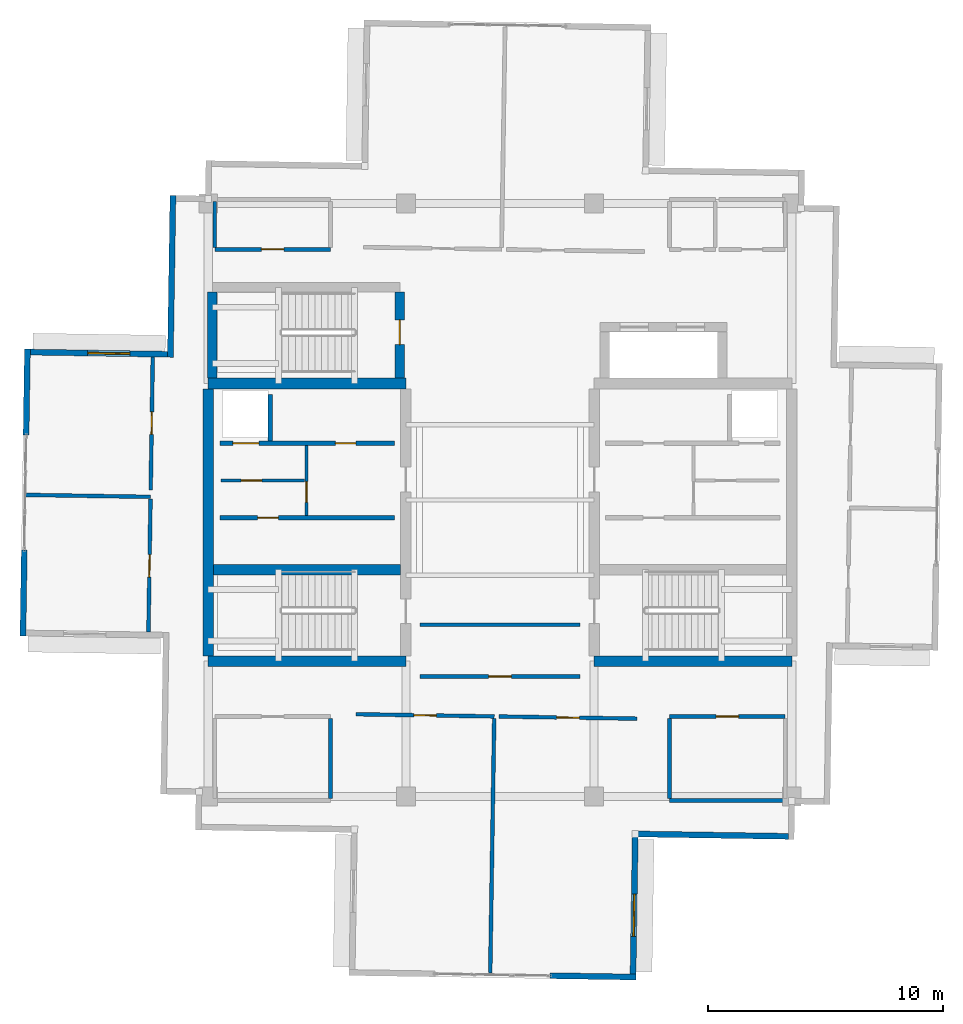
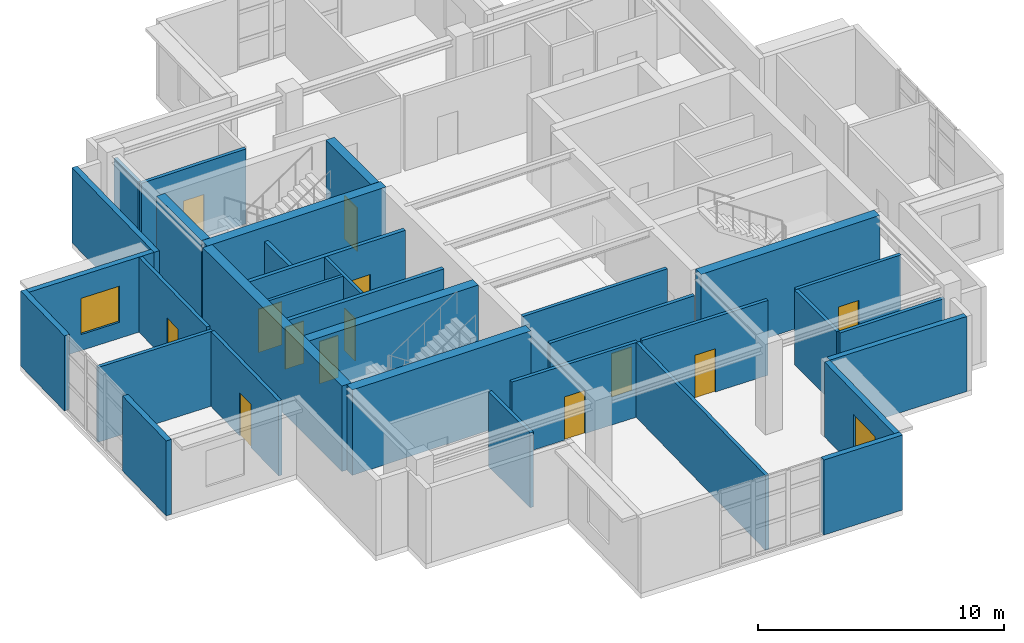
# One storey, part 10 of 15: 33 walls, 13 doors, 2 windows, 15 openings.
"""IFC4 building model written with IfcOpenShell, lengths in metres."""

from ifc_helpers import new_model, si_unit, direction, frame, frame_2d, origin, place, context, subcontext, project, spatial, rectangle, extrude, material, layer, layer_set, type_object, element, fill, save


model = new_model("IFC4")

# Units and contexts
model_context = context("Model", 3, precision=1e-05, world=origin(), true_north=direction((0.0, 1.0)))
body_context = subcontext(model_context, "Body", "Model", "MODEL_VIEW")
ifc_project = project(units=[si_unit("LENGTHUNIT", "METRE"), si_unit("AREAUNIT", "SQUARE_METRE"), si_unit("VOLUMEUNIT", "CUBIC_METRE"), si_unit("PLANEANGLEUNIT", "RADIAN"), si_unit("MASSUNIT", "GRAM", prefix="KILO")], contexts=[model_context])

# Site, building, storey
site_placement = place(None, origin())
site = spatial("IfcSite", under=ifc_project, at=site_placement, CompositionType="ELEMENT")
building_placement = place(site_placement, origin())
building = spatial("IfcBuilding", under=site, at=building_placement, Name="Qingluan Cross Belvedere", CompositionType="ELEMENT")
storey_placement = place(building_placement, frame((0.0, 0.0, 312.89990234375)))
storey = spatial("IfcBuildingStorey", under=building, at=storey_placement, Name="L77", CompositionType="ELEMENT", Elevation=312.89990234375)

# Walls
ifc_material_1 = material(Name="Concrete C50", Category="concrete")
ifc_layer_1 = layer(ifc_material_1, 0.449951171875, Name="CoreShearWall_450")
ifc_layer_set_1 = layer_set([ifc_layer_1], Name="Concrete C50")
wall_type_1 = type_object("IfcWallType", Name="CoreShearWall_450", PredefinedType="SHEAR", material=ifc_layer_set_1)
for number, where, z_axis, x_axis, name in (
    (1, (-12.39990234375, -6.85009765625, 0.0), (0.0, 0.0, 1.0), (1.0, 0.0, 0.0), "Split core W shear wall L77-S"),
    (2, (-12.39990234375, 4.949951171875, 0.0), (0.0, 0.0, 1.0), (1.0, 0.0, 0.0), "Split core W shear wall L77-N"),
):
    element("IfcWall", number, at=place(storey_placement, frame(where, z_axis=z_axis, x_axis=x_axis)), inside=storey, type_object=wall_type_1, Name=name, PredefinedType="SHEAR", context=body_context, shape_type="SweptSolid", body=[
        extrude(rectangle(XDim=8.39990234375, YDim=0.449951171875, at=frame_2d((4.199951171875, 0.0))), origin(), (0.0, 0.0, 1.0), 4.25),
    ])
wall_1_placement = place(storey_placement, frame((-12.39990234375, -6.6201171875, 0.0), z_axis=(0.0, 0.0, 1.0), x_axis=(0.0, 1.0, 0.0)))
element("IfcWall", 3, at=wall_1_placement, inside=storey, type_object=wall_type_1, Name="Split core W shear wall L77-W", PredefinedType="SHEAR", context=body_context, shape_type="SweptSolid", body=[
    extrude(rectangle(XDim=11.340087890625, YDim=0.449951171875, at=frame_2d((5.669921875, 0.0))), origin(), (0.0, 0.0, 1.0), 4.25),
])
wall_2_placement = place(storey_placement, frame((-12.169921875, -2.9599609375, 0.0), z_axis=(0.0, 0.0, 1.0), x_axis=(1.0, 0.0, 0.0)))
element("IfcWall", 4, at=wall_2_placement, inside=storey, type_object=wall_type_1, Name="Split core W shear wall L77-M", PredefinedType="SHEAR", context=body_context, shape_type="SweptSolid", body=[
    extrude(rectangle(XDim=7.93994140625, YDim=0.449951171875, at=frame_2d((3.969970703125, 0.0))), origin(), (0.0, 0.0, 1.0), 4.25),
])
wall_3_placement = place(storey_placement, frame((4.0, -6.85009765625, 0.0), z_axis=(0.0, 0.0, 1.0), x_axis=(1.0, 0.0, 0.0)))
element("IfcWall", 5, at=wall_3_placement, inside=storey, type_object=wall_type_1, Name="Split core E shear wall L77-S", PredefinedType="SHEAR", context=body_context, shape_type="SweptSolid", body=[
    extrude(rectangle(XDim=8.39990234375, YDim=0.449951171875, at=frame_2d((4.199951171875, 0.0))), origin(), (0.0, 0.0, 1.0), 4.25),
])
wall_4_placement = place(storey_placement, frame((-12.219970703125, 5.179931640625, 0.0), z_axis=(0.0, 0.0, 1.0), x_axis=(0.0, 1.0, 0.0)))
element("IfcWall", 6, at=wall_4_placement, inside=storey, type_object=wall_type_1, Name="Stair ST3 structural wall W L77", PredefinedType="SHEAR", context=body_context, shape_type="SweptSolid", body=[
    extrude(rectangle(XDim=3.655029296875, YDim=0.39990234375, at=frame_2d((1.82763671875, 0.0))), origin(), (0.0, 0.0, 1.0), 4.25),
])

# Wall, opening, door
wall_5_placement = place(storey_placement, frame((-4.260009765625, 5.179931640625, 0.0), z_axis=(0.0, 0.0, 1.0), x_axis=(0.0, 1.0, 0.0)))
wall_5 = element("IfcWall", 7, at=wall_5_placement, inside=storey, type_object=wall_type_1, Name="Stair ST3 structural wall E L77", PredefinedType="SHEAR", context=body_context, shape_type="SweptSolid", body=[
    extrude(rectangle(XDim=3.655029296875, YDim=0.39990234375, at=frame_2d((1.82763671875, 0.0))), origin(), (0.0, 0.0, 1.0), 4.25),
])
opening_1_placement = place(wall_5_placement, frame((1.419921875, 0.0, 0.0)))
opening_1 = element("IfcOpeningElement", 8, at=opening_1_placement, cuts=wall_5, Name="Opening FD-B11", PredefinedType="OPENING", context=body_context, shape_type="SweptSolid", body=[
    extrude(rectangle(XDim=1.050048828125, YDim=2.14990234375, at=frame_2d((0.52490234375, 1.074951171875))), frame((0.0, 0.2099609375, 0.0), z_axis=(0.0, -1.0, 0.0), x_axis=(1.0, 0.0, 0.0)), (0.0, 0.0, 1.0), 0.419921875),
])
ifc_material_2 = material(Name="Steel Class B smoke-seal fire door", Category="steel")
door_type_1 = type_object("IfcDoorType", Name="StairLobbyFireDoor_FDB", OperationType="NOTDEFINED", PredefinedType="DOOR", material=ifc_material_2)
door_1_placement = place(opening_1_placement, origin())
door_1 = element("IfcDoor", 9, at=door_1_placement, inside=storey, type_object=door_type_1, Name="Smoke-proof stair ST3 fire door L77", OperationType="SINGLE_SWING_LEFT", OverallHeight=2.14990234375, OverallWidth=1.050048828125, PredefinedType="DOOR", context=body_context, shape_type="SweptSolid", body=[
    extrude(rectangle(XDim=1.050048828125, YDim=2.14990234375, at=frame_2d((0.52490234375, 1.074951171875))), frame((0.0, 0.02490234375, 0.0), z_axis=(0.0, -1.0, 0.0), x_axis=(1.0, 0.0, 0.0)), (0.0, 0.0, 1.0), 0.050048828125),
])
fill(opening_1, door_1)

ifc_material_3 = material(Name="Gypsum plasterboard on steel stud acoustic partition", Category="steel")
ifc_layer_2 = layer(ifc_material_3, 0.159912109375, Name="CorridorPartition_160")
ifc_layer_set_2 = layer_set([ifc_layer_2], Name="Gypsum plasterboard on steel stud acoustic partition")
wall_type_2 = type_object("IfcWallType", Name="CorridorPartition_160", PredefinedType="PARTITIONING", material=ifc_layer_set_2)
wall_6_placement = place(storey_placement, frame((-11.85009765625, 0.830078125, 0.0), z_axis=(0.0, 0.0, 1.0), x_axis=(1.0, 0.0, 0.0)))
wall_6 = element("IfcWall", 10, at=wall_6_placement, inside=storey, type_object=wall_type_2, Name="Partition L77:w", PredefinedType="PARTITIONING", context=body_context, shape_type="SweptSolid", body=[
    extrude(rectangle(XDim=3.552001953125, YDim=0.139892578125, at=frame_2d((1.77587890625, 0.0))), origin(), (0.0, 0.0, 1.0), 3.72021484375),
])
opening_2_placement = place(wall_6_placement, frame((0.85009765625, 0.0, 0.0)))
opening_2 = element("IfcOpeningElement", 11, at=opening_2_placement, cuts=wall_6, Name="Opening FD-B10", PredefinedType="OPENING", context=body_context, shape_type="SweptSolid", body=[
    extrude(rectangle(XDim=0.8798828125, YDim=2.10009765625, at=frame_2d((0.43994140625, 1.050048828125))), frame((0.0, 0.079833984375, 0.0), z_axis=(0.0, -1.0, 0.0), x_axis=(1.0, 0.0, 0.0)), (0.0, 0.0, 1.0), 0.159912109375),
])
ifc_material_4 = material(Name="Steel Class B service fire door", Category="steel")
door_type_2 = type_object("IfcDoorType", Name="RiserServiceFireDoor_FDB", OperationType="NOTDEFINED", PredefinedType="DOOR", material=ifc_material_4)
door_2_placement = place(opening_2_placement, origin())
door_2 = element("IfcDoor", 12, at=door_2_placement, inside=storey, type_object=door_type_2, Name="Service closet inner door L77", OperationType="SINGLE_SWING_RIGHT", OverallHeight=2.10009765625, OverallWidth=0.8798828125, PredefinedType="DOOR", context=body_context, shape_type="SweptSolid", body=[
    extrude(rectangle(XDim=0.8798828125, YDim=2.10009765625, at=frame_2d((0.43994140625, 1.050048828125))), frame((0.0, 0.02490234375, 0.0), z_axis=(0.0, -1.0, 0.0), x_axis=(1.0, 0.0, 0.0)), (0.0, 0.0, 1.0), 0.050048828125),
])
fill(opening_2, door_2)

wall_7_placement = place(storey_placement, frame((-6.11376953125, -9.10498046875, 0.0), z_axis=(0.0, 0.0, 1.0), x_axis=(0.999876414354, -0.015721196482, 0.0)))
wall_7 = element("IfcWall", 13, at=wall_7_placement, inside=storey, type_object=wall_type_2, Name="Partition L77:obs_s1:N", PredefinedType="PARTITIONING", context=body_context, shape_type="SweptSolid", body=[
    extrude(rectangle(XDim=5.8701171875, YDim=0.159912109375, at=frame_2d((2.93505859375, 0.0))), origin(), (0.0, 0.0, 1.0), 3.72021484375),
])
opening_3_placement = place(wall_7_placement, frame((2.455078125, 0.0, 0.0)))
opening_3 = element("IfcOpeningElement", 14, at=opening_3_placement, cuts=wall_7, Name="Opening GD-10", PredefinedType="OPENING", context=body_context, shape_type="SweptSolid", body=[
    extrude(rectangle(XDim=0.9599609375, YDim=2.14990234375, at=frame_2d((0.47998046875, 1.074951171875))), frame((0.0, 0.08984375, 0.0), z_axis=(0.0, -1.0, 0.0), x_axis=(1.0, 0.0, 0.0)), (0.0, 0.0, 1.0), 0.179931640625),
])
ifc_material_5 = material(Name="Timber oak fire-rated acoustic guestroom door", Category="wood")
door_type_3 = type_object("IfcDoorType", Name="GuestEntryDoor_FD60", OperationType="NOTDEFINED", PredefinedType="DOOR", material=ifc_material_5)
door_3_placement = place(opening_3_placement, origin())
door_3 = element("IfcDoor", 15, at=door_3_placement, inside=storey, type_object=door_type_3, Name="South Yangtze belvedere lounge W L77 door", OperationType="SINGLE_SWING_RIGHT", OverallHeight=2.14990234375, OverallWidth=0.9599609375, PredefinedType="DOOR", context=body_context, shape_type="SweptSolid", body=[
    extrude(rectangle(XDim=0.9599609375, YDim=2.14990234375, at=frame_2d((0.47998046875, 1.074951171875))), frame((0.0, 0.02490234375, 0.0), z_axis=(0.0, -1.0, 0.0), x_axis=(1.0, 0.0, 0.0)), (0.0, 0.0, 1.0), 0.050048828125),
])
fill(opening_3, door_3)

# Wall
wall_8_placement = place(storey_placement, frame((-0.41552734375, -20.091064453125, 0.0), z_axis=(0.0, 0.0, 1.0), x_axis=(0.015696121378, 0.999876808299, 0.0)))
element("IfcWall", 16, at=wall_8_placement, inside=storey, type_object=wall_type_2, Name="Partition L77:obs_s1:E", PredefinedType="PARTITIONING", context=body_context, shape_type="SweptSolid", body=[
    extrude(rectangle(XDim=10.81005859375, YDim=0.159912109375, at=frame_2d((5.405029296875, 0.0))), origin(), (0.0, 0.0, 1.0), 3.72021484375),
])

# Wall, opening, door
wall_9_placement = place(storey_placement, frame((-0.04443359375, -9.200439453125, 0.0), z_axis=(0.0, 0.0, 1.0), x_axis=(0.999877057035, -0.015680268324, 0.0)))
wall_9 = element("IfcWall", 17, at=wall_9_placement, inside=storey, type_object=wall_type_2, Name="Partition L77:obs_s2:N", PredefinedType="PARTITIONING", context=body_context, shape_type="SweptSolid", body=[
    extrude(rectangle(XDim=5.869873046875, YDim=0.159912109375, at=frame_2d((2.93505859375, 0.0))), origin(), (0.0, 0.0, 1.0), 3.72021484375),
])
opening_4_placement = place(wall_9_placement, frame((2.455078125, 0.0, 0.0)))
opening_4 = element("IfcOpeningElement", 18, at=opening_4_placement, cuts=wall_9, Name="Opening GD-10", PredefinedType="OPENING", context=body_context, shape_type="SweptSolid", body=[
    extrude(rectangle(XDim=0.9599609375, YDim=2.14990234375, at=frame_2d((0.47998046875, 1.074951171875))), frame((0.0, 0.08984375, 0.0), z_axis=(0.0, -1.0, 0.0), x_axis=(1.0, 0.0, 0.0)), (0.0, 0.0, 1.0), 0.179931640625),
])
door_4_placement = place(opening_4_placement, origin())
door_4 = element("IfcDoor", 19, at=door_4_placement, inside=storey, type_object=door_type_3, Name="South Yangtze belvedere lounge E L77 door", OperationType="SINGLE_SWING_LEFT", OverallHeight=2.14990234375, OverallWidth=0.9599609375, PredefinedType="DOOR", context=body_context, shape_type="SweptSolid", body=[
    extrude(rectangle(XDim=0.9599609375, YDim=2.14990234375, at=frame_2d((0.47998046875, 1.074951171875))), frame((0.0, 0.02490234375, 0.0), z_axis=(0.0, -1.0, 0.0), x_axis=(1.0, 0.0, 0.0)), (0.0, 0.0, 1.0), 0.050048828125),
])
fill(opening_4, door_4)

# Wall
wall_10_placement = place(storey_placement, frame((-20.17919921875, 0.217041015625, 0.0), z_axis=(0.0, 0.0, 1.0), x_axis=(0.999876584312, -0.015710383345, 0.0)))
element("IfcWall", 20, at=wall_10_placement, inside=storey, type_object=wall_type_2, Name="Partition L77:obs_w1:N", PredefinedType="PARTITIONING", context=body_context, shape_type="SweptSolid", body=[
    extrude(rectangle(XDim=5.330322265625, YDim=0.159912109375, at=frame_2d((2.6650390625, 0.0))), origin(), (0.0, 0.0, 1.0), 3.72021484375),
])

# Wall, opening, door
wall_11_placement = place(storey_placement, frame((-14.939697265625, -5.60302734375, 0.0), z_axis=(0.0, 0.0, 1.0), x_axis=(0.01567977253, 0.99987706481, 0.0)))
wall_11 = element("IfcWall", 21, at=wall_11_placement, inside=storey, type_object=wall_type_2, Name="Partition L77:obs_w1:E", PredefinedType="PARTITIONING", context=body_context, shape_type="SweptSolid", body=[
    extrude(rectangle(XDim=5.652099609375, YDim=0.159912109375, at=frame_2d((2.826171875, 0.0))), origin(), (0.0, 0.0, 1.0), 3.72021484375),
])
opening_5_placement = place(wall_11_placement, frame((2.322021484375, 0.0, 0.0)))
opening_5 = element("IfcOpeningElement", 22, at=opening_5_placement, cuts=wall_11, Name="Opening GD-10", PredefinedType="OPENING", context=body_context, shape_type="SweptSolid", body=[
    extrude(rectangle(XDim=0.9599609375, YDim=2.14990234375, at=frame_2d((0.47998046875, 1.074951171875))), frame((0.0, 0.08984375, 0.0), z_axis=(0.0, -1.0, 0.0), x_axis=(1.0, 0.0, 0.0)), (0.0, 0.0, 1.0), 0.179931640625),
])
door_5_placement = place(opening_5_placement, origin())
door_5 = element("IfcDoor", 23, at=door_5_placement, inside=storey, type_object=door_type_3, Name="West skyline exhibition room L77 door", OperationType="SINGLE_SWING_RIGHT", OverallHeight=2.14990234375, OverallWidth=0.9599609375, PredefinedType="DOOR", context=body_context, shape_type="SweptSolid", body=[
    extrude(rectangle(XDim=0.9599609375, YDim=2.14990234375, at=frame_2d((0.47998046875, 1.074951171875))), frame((0.0, 0.02490234375, 0.0), z_axis=(0.0, -1.0, 0.0), x_axis=(1.0, 0.0, 0.0)), (0.0, 0.0, 1.0), 0.050048828125),
])
fill(opening_5, door_5)

wall_12_placement = place(storey_placement, frame((-14.84521484375, 0.418212890625, 0.0), z_axis=(0.0, 0.0, 1.0), x_axis=(0.01567977253, 0.99987706481, 0.0)))
wall_12 = element("IfcWall", 24, at=wall_12_placement, inside=storey, type_object=wall_type_2, Name="Partition L77:obs_w2:E", PredefinedType="PARTITIONING", context=body_context, shape_type="SweptSolid", body=[
    extrude(rectangle(XDim=5.652099609375, YDim=0.159912109375, at=frame_2d((2.826171875, 0.0))), origin(), (0.0, 0.0, 1.0), 3.72021484375),
])
opening_6_placement = place(wall_12_placement, frame((2.3701171875, 0.0, 0.0)))
opening_6 = element("IfcOpeningElement", 25, at=opening_6_placement, cuts=wall_12, Name="Opening GD-10", PredefinedType="OPENING", context=body_context, shape_type="SweptSolid", body=[
    extrude(rectangle(XDim=0.9599609375, YDim=2.14990234375, at=frame_2d((0.47998046875, 1.074951171875))), frame((0.0, 0.08984375, 0.0), z_axis=(0.0, -1.0, 0.0), x_axis=(1.0, 0.0, 0.0)), (0.0, 0.0, 1.0), 0.179931640625),
])
door_6_placement = place(opening_6_placement, origin())
door_6 = element("IfcDoor", 26, at=door_6_placement, inside=storey, type_object=door_type_3, Name="Telescope viewing salon L77 door", OperationType="SINGLE_SWING_LEFT", OverallHeight=2.14990234375, OverallWidth=0.9599609375, PredefinedType="DOOR", context=body_context, shape_type="SweptSolid", body=[
    extrude(rectangle(XDim=0.9599609375, YDim=2.14990234375, at=frame_2d((0.47998046875, 1.074951171875))), frame((0.0, 0.02490234375, 0.0), z_axis=(0.0, -1.0, 0.0), x_axis=(1.0, 0.0, 0.0)), (0.0, 0.0, 1.0), 0.050048828125),
])
fill(opening_6, door_6)

wall_13_placement = place(storey_placement, frame((-12.1201171875, 10.64990234375, 0.0), z_axis=(0.0, 0.0, 1.0), x_axis=(1.0, 0.0, 0.0)))
wall_13 = element("IfcWall", 27, at=wall_13_placement, inside=storey, type_object=wall_type_2, Name="Partition L77:crown_nw:S", PredefinedType="PARTITIONING", context=body_context, shape_type="SweptSolid", body=[
    extrude(rectangle(XDim=4.920166015625, YDim=0.159912109375, at=frame_2d((2.4599609375, 0.0))), origin(), (0.0, 0.0, 1.0), 3.72021484375),
])
opening_7_placement = place(wall_13_placement, frame((1.97998046875, 0.0, 0.0)))
opening_7 = element("IfcOpeningElement", 28, at=opening_7_placement, cuts=wall_13, Name="Opening GD-10", PredefinedType="OPENING", context=body_context, shape_type="SweptSolid", body=[
    extrude(rectangle(XDim=0.9599609375, YDim=2.14990234375, at=frame_2d((0.47998046875, 1.074951171875))), frame((0.0, 0.08984375, 0.0), z_axis=(0.0, -1.0, 0.0), x_axis=(1.0, 0.0, 0.0)), (0.0, 0.0, 1.0), 0.179931640625),
])
door_7_placement = place(opening_7_placement, origin())
door_7 = element("IfcDoor", 29, at=door_7_placement, inside=storey, type_object=door_type_3, Name="Northwest panorama gallery L77 door", OperationType="SINGLE_SWING_RIGHT", OverallHeight=2.14990234375, OverallWidth=0.9599609375, PredefinedType="DOOR", context=body_context, shape_type="SweptSolid", body=[
    extrude(rectangle(XDim=0.9599609375, YDim=2.14990234375, at=frame_2d((0.47998046875, 1.074951171875))), frame((0.0, 0.02490234375, 0.0), z_axis=(0.0, -1.0, 0.0), x_axis=(1.0, 0.0, 0.0)), (0.0, 0.0, 1.0), 0.050048828125),
])
fill(opening_7, door_7)

# Walls
wall_14_placement = place(storey_placement, frame((-12.1201171875, 10.735107421875, 0.0), z_axis=(0.0, 0.0, 1.0), x_axis=(0.0, 1.0, 0.0)))
element("IfcWall", 30, at=wall_14_placement, inside=storey, type_object=wall_type_2, Name="Partition L77:crown_nw:W", PredefinedType="PARTITIONING", context=body_context, shape_type="SweptSolid", body=[
    extrude(rectangle(XDim=1.949951171875, YDim=0.159912109375, at=frame_2d((0.97509765625, 0.0))), origin(), (0.0, 0.0, 1.0), 3.72021484375),
])
wall_15_placement = place(storey_placement, frame((-7.199951171875, -12.68505859375, 0.0), z_axis=(0.0, 0.0, 1.0), x_axis=(0.0, 1.0, 0.0)))
element("IfcWall", 31, at=wall_15_placement, inside=storey, type_object=wall_type_2, Name="Partition L77:crown_sw:E", PredefinedType="PARTITIONING", context=body_context, shape_type="SweptSolid", body=[
    extrude(rectangle(XDim=3.400146484375, YDim=0.159912109375, at=frame_2d((1.7001953125, 0.0))), origin(), (0.0, 0.0, 1.0), 3.72021484375),
])
wall_16_placement = place(storey_placement, frame((7.199951171875, -12.77001953125, 0.0), z_axis=(0.0, 0.0, 1.0), x_axis=(1.0, 0.0, 0.0)))
element("IfcWall", 32, at=wall_16_placement, inside=storey, type_object=wall_type_2, Name="Partition L77:crown_se:S", PredefinedType="PARTITIONING", context=body_context, shape_type="SweptSolid", body=[
    extrude(rectangle(XDim=4.920166015625, YDim=0.159912109375, at=frame_2d((2.4599609375, 0.0))), origin(), (0.0, 0.0, 1.0), 3.72021484375),
])

# Wall, opening, door
wall_17_placement = place(storey_placement, frame((7.199951171875, -9.199951171875, 0.0), z_axis=(0.0, 0.0, 1.0), x_axis=(1.0, 0.0, 0.0)))
wall_17 = element("IfcWall", 33, at=wall_17_placement, inside=storey, type_object=wall_type_2, Name="Partition L77:crown_se:N", PredefinedType="PARTITIONING", context=body_context, shape_type="SweptSolid", body=[
    extrude(rectangle(XDim=4.920166015625, YDim=0.159912109375, at=frame_2d((2.4599609375, 0.0))), origin(), (0.0, 0.0, 1.0), 3.72021484375),
])
opening_8_placement = place(wall_17_placement, frame((1.97998046875, 0.0, 0.0)))
opening_8 = element("IfcOpeningElement", 34, at=opening_8_placement, cuts=wall_17, Name="Opening GD-10", PredefinedType="OPENING", context=body_context, shape_type="SweptSolid", body=[
    extrude(rectangle(XDim=0.9599609375, YDim=2.14990234375, at=frame_2d((0.47998046875, 1.074951171875))), frame((0.0, 0.08984375, 0.0), z_axis=(0.0, -1.0, 0.0), x_axis=(1.0, 0.0, 0.0)), (0.0, 0.0, 1.0), 0.179931640625),
])
door_8_placement = place(opening_8_placement, origin())
door_8 = element("IfcDoor", 35, at=door_8_placement, inside=storey, type_object=door_type_3, Name="Southeast horizon salon L77 door", OperationType="SINGLE_SWING_RIGHT", OverallHeight=2.14990234375, OverallWidth=0.9599609375, PredefinedType="DOOR", context=body_context, shape_type="SweptSolid", body=[
    extrude(rectangle(XDim=0.9599609375, YDim=2.14990234375, at=frame_2d((0.47998046875, 1.074951171875))), frame((0.0, 0.02490234375, 0.0), z_axis=(0.0, -1.0, 0.0), x_axis=(1.0, 0.0, 0.0)), (0.0, 0.0, 1.0), 0.050048828125),
])
fill(opening_8, door_8)

# Wall
wall_18_placement = place(storey_placement, frame((7.199951171875, -12.68505859375, 0.0), z_axis=(0.0, 0.0, 1.0), x_axis=(0.0, 1.0, 0.0)))
element("IfcWall", 36, at=wall_18_placement, inside=storey, type_object=wall_type_2, Name="Partition L77:crown_se:W", PredefinedType="PARTITIONING", context=body_context, shape_type="SweptSolid", body=[
    extrude(rectangle(XDim=3.400146484375, YDim=0.159912109375, at=frame_2d((1.7001953125, 0.0))), origin(), (0.0, 0.0, 1.0), 3.72021484375),
])

# Wall, opening, door
wall_19_placement = place(storey_placement, frame((-3.39990234375, -7.5, 0.0), z_axis=(0.0, 0.0, 1.0), x_axis=(1.0, 0.0, 0.0)))
wall_19 = element("IfcWall", 37, at=wall_19_placement, inside=storey, type_object=wall_type_2, Name="Partition L77:obs_center_s:S", PredefinedType="PARTITIONING", context=body_context, shape_type="SweptSolid", body=[
    extrude(rectangle(XDim=6.7998046875, YDim=0.159912109375, at=frame_2d((3.39990234375, 0.0))), origin(), (0.0, 0.0, 1.0), 3.72021484375),
])
opening_9_placement = place(wall_19_placement, frame((2.919921875, 0.0, 0.0)))
opening_9 = element("IfcOpeningElement", 38, at=opening_9_placement, cuts=wall_19, Name="Opening GD-10", PredefinedType="OPENING", context=body_context, shape_type="SweptSolid", body=[
    extrude(rectangle(XDim=0.9599609375, YDim=2.14990234375, at=frame_2d((0.47998046875, 1.074951171875))), frame((0.0, 0.08984375, 0.0), z_axis=(0.0, -1.0, 0.0), x_axis=(1.0, 0.0, 0.0)), (0.0, 0.0, 1.0), 0.179931640625),
])
door_9_placement = place(opening_9_placement, origin())
door_9 = element("IfcDoor", 39, at=door_9_placement, inside=storey, type_object=door_type_3, Name="Central skyline viewing alcove L77 door", OperationType="SINGLE_SWING_LEFT", OverallHeight=2.14990234375, OverallWidth=0.9599609375, PredefinedType="DOOR", context=body_context, shape_type="SweptSolid", body=[
    extrude(rectangle(XDim=0.9599609375, YDim=2.14990234375, at=frame_2d((0.47998046875, 1.074951171875))), frame((0.0, 0.02490234375, 0.0), z_axis=(0.0, -1.0, 0.0), x_axis=(1.0, 0.0, 0.0)), (0.0, 0.0, 1.0), 0.050048828125),
])
fill(opening_9, door_9)

# Wall
wall_20_placement = place(storey_placement, frame((-3.39990234375, -5.300048828125, 0.0), z_axis=(0.0, 0.0, 1.0), x_axis=(1.0, 0.0, 0.0)))
element("IfcWall", 40, at=wall_20_placement, inside=storey, type_object=wall_type_2, Name="Partition L77:obs_center_s:N", PredefinedType="PARTITIONING", context=body_context, shape_type="SweptSolid", body=[
    extrude(rectangle(XDim=6.7998046875, YDim=0.159912109375, at=frame_2d((3.39990234375, 0.0))), origin(), (0.0, 0.0, 1.0), 3.72021484375),
])

# Wall, opening, window
ifc_material_6 = material(Name="Precast concrete C45", Category="concrete")
ifc_layer_3 = layer(ifc_material_6, 0.25, Name="PrecastCrownWall_250")
ifc_layer_set_3 = layer_set([ifc_layer_3], Name="Precast concrete C45")
wall_type_3 = type_object("IfcWallType", Name="PrecastCrownWall_250", PredefinedType="STANDARD", material=ifc_layer_set_3)
wall_21_placement = place(storey_placement, frame((-14.12939453125, 6.192626953125, 0.0), z_axis=(0.0, 0.0, 1.0), x_axis=(-0.999876691593, 0.01570355402, 0.0)))
wall_21 = element("IfcWall", 41, at=wall_21_placement, inside=storey, type_object=wall_type_3, Name="Facade wall L77-WA", PredefinedType="STANDARD", context=body_context, shape_type="SweptSolid", body=[
    extrude(rectangle(XDim=5.830078125, YDim=0.25, at=frame_2d((2.9150390625, 0.0))), origin(), (0.0, 0.0, 1.0), 3.72998046875),
])
opening_10_placement = place(wall_21_placement, frame((1.60009765625, 0.0, 0.800048828125)))
opening_10 = element("IfcOpeningElement", 42, at=opening_10_placement, cuts=wall_21, Name="Opening W-05", PredefinedType="OPENING", context=body_context, shape_type="SweptSolid", body=[
    extrude(rectangle(XDim=1.800048828125, YDim=1.800048828125, at=frame_2d((0.89990234375, 0.89990234375))), frame((0.0, 0.135009765625, 0.0), z_axis=(0.0, -1.0, 0.0), x_axis=(1.0, 0.0, 0.0)), (0.0, 0.0, 1.0), 0.27001953125),
])
ifc_material_7 = material(Name="Thermally broken triple Low-E glass in aluminium frame", Category="aluminium")
window_type = type_object("IfcWindowType", Name="CrownBelvedereWin_1800x1800", PartitioningType="SINGLE_PANEL", PredefinedType="WINDOW", material=ifc_material_7)
window_1_placement = place(opening_10_placement, origin())
window_1 = element("IfcWindow", 43, at=window_1_placement, inside=storey, type_object=window_type, Name="Ribbon window L77-WA-1", OverallHeight=1.800048828125, OverallWidth=1.800048828125, PartitioningType="SINGLE_PANEL", PredefinedType="WINDOW", context=body_context, shape_type="SweptSolid", body=[
    extrude(rectangle(XDim=1.800048828125, YDim=1.800048828125, at=frame_2d((0.89990234375, 0.89990234375))), frame((0.0, 0.030029296875, 0.0), z_axis=(0.0, -1.0, 0.0), x_axis=(1.0, 0.0, 0.0)), (0.0, 0.0, 1.0), 0.06005859375),
])
fill(opening_10, window_1)

# Walls
for number, where, z_axis, x_axis, name in (
    (44, (-20.081787109375, 6.4111328125, 0.0), (0.0, 0.0, 1.0), (-0.015688794617, -0.999876923288, 0.0), "Terrace portal jamb wall L77-W1"),
    (45, (-20.2158203125, -2.120849609375, 0.0), (0.0, 0.0, 1.0), (-0.015688794617, -0.999876923288, 0.0), "Terrace portal jamb wall L77-W2"),
):
    element("IfcWall", number, at=place(storey_placement, frame(where, z_axis=z_axis, x_axis=x_axis)), inside=storey, type_object=wall_type_3, Name=name, PredefinedType="STANDARD", context=body_context, shape_type="SweptSolid", body=[
        extrude(rectangle(XDim=3.656982421875, YDim=0.25, at=frame_2d((1.82861328125, 0.0))), origin(), (0.0, 0.0, 1.0), 3.72998046875),
    ])

# Wall, opening, window
wall_22_placement = place(storey_placement, frame((5.654296875, -20.146240234375, 0.0), z_axis=(0.0, 0.0, 1.0), x_axis=(0.01570355402, 0.999876691593, 0.0)))
wall_22 = element("IfcWall", 46, at=wall_22_placement, inside=storey, type_object=wall_type_3, Name="Facade wall L77-SB", PredefinedType="STANDARD", context=body_context, shape_type="SweptSolid", body=[
    extrude(rectangle(XDim=5.830078125, YDim=0.25, at=frame_2d((2.9150390625, 0.0))), origin(), (0.0, 0.0, 1.0), 3.72998046875),
])
opening_11_placement = place(wall_22_placement, frame((1.60009765625, 0.0, 0.800048828125)))
opening_11 = element("IfcOpeningElement", 47, at=opening_11_placement, cuts=wall_22, Name="Opening W-05", PredefinedType="OPENING", context=body_context, shape_type="SweptSolid", body=[
    extrude(rectangle(XDim=1.800048828125, YDim=1.800048828125, at=frame_2d((0.89990234375, 0.89990234375))), frame((0.0, 0.135009765625, 0.0), z_axis=(0.0, -1.0, 0.0), x_axis=(1.0, 0.0, 0.0)), (0.0, 0.0, 1.0), 0.27001953125),
])
window_2_placement = place(opening_11_placement, origin())
window_2 = element("IfcWindow", 48, at=window_2_placement, inside=storey, type_object=window_type, Name="Ribbon window L77-SB-1", OverallHeight=1.800048828125, OverallWidth=1.800048828125, PartitioningType="SINGLE_PANEL", PredefinedType="WINDOW", context=body_context, shape_type="SweptSolid", body=[
    extrude(rectangle(XDim=1.800048828125, YDim=1.800048828125, at=frame_2d((0.89990234375, 0.89990234375))), frame((0.0, 0.030029296875, 0.0), z_axis=(0.0, -1.0, 0.0), x_axis=(1.0, 0.0, 0.0)), (0.0, 0.0, 1.0), 0.06005859375),
])
fill(opening_11, window_2)

# Walls
wall_23_placement = place(storey_placement, frame((2.120849609375, -20.2158203125, 0.0), z_axis=(0.0, 0.0, 1.0), x_axis=(0.999876923288, -0.015688794617, 0.0)))
element("IfcWall", 49, at=wall_23_placement, inside=storey, type_object=wall_type_3, Name="Terrace portal jamb wall L77-S2", PredefinedType="STANDARD", context=body_context, shape_type="SweptSolid", body=[
    extrude(rectangle(XDim=3.656982421875, YDim=0.25, at=frame_2d((1.82861328125, 0.0))), origin(), (0.0, 0.0, 1.0), 3.72998046875),
])
wall_24_placement = place(storey_placement, frame((-14.006591796875, 6.06591796875, 0.0), z_axis=(0.0, 0.0, 1.0), x_axis=(0.01572065784, 0.999876422823, 0.0)))
element("IfcWall", 50, at=wall_24_placement, inside=storey, type_object=wall_type_3, Name="Corner wall L77-NW1", PredefinedType="STANDARD", context=body_context, shape_type="SweptSolid", body=[
    extrude(rectangle(XDim=6.879638671875, YDim=0.25, at=frame_2d((3.43994140625, 0.0))), origin(), (0.0, 0.0, 1.0), 3.72998046875),
])
wall_25_placement = place(storey_placement, frame((12.251953125, -14.294189453125, 0.0), z_axis=(0.0, 0.0, 1.0), x_axis=(-0.999876913067, 0.015689445993, 0.0)))
element("IfcWall", 51, at=wall_25_placement, inside=storey, type_object=wall_type_3, Name="Corner wall L77-SE4", PredefinedType="STANDARD", context=body_context, shape_type="SweptSolid", body=[
    extrude(rectangle(XDim=6.3798828125, YDim=0.25, at=frame_2d((3.18994140625, 0.0))), origin(), (0.0, 0.0, 1.0), 3.72998046875),
])

# Wall, openings, doors
ifc_material_8 = material(Name="Concrete C40", Category="concrete")
ifc_layer_4 = layer(ifc_material_8, 0.219970703125, Name="ShaftEnclosureWall_250")
ifc_layer_set_4 = layer_set([ifc_layer_4], Name="Concrete C40")
wall_type_4 = type_object("IfcWallType", Name="ShaftEnclosureWall_250", PredefinedType="SOLIDWALL", material=ifc_layer_set_4)
wall_26_placement = place(storey_placement, frame((-11.89990234375, 2.409912109375, 0.0), z_axis=(0.0, 0.0, 1.0), x_axis=(1.0, 0.0, 0.0)))
wall_26 = element("IfcWall", 52, at=wall_26_placement, inside=storey, type_object=wall_type_4, Name="Core-W north hoistway wall L77", PredefinedType="SOLIDWALL", context=body_context, shape_type="SweptSolid", body=[
    extrude(rectangle(XDim=7.419921875, YDim=0.179931640625, at=frame_2d((3.7099609375, 0.0))), origin(), (0.0, 0.0, 1.0), 3.72021484375),
])
opening_12_placement = place(wall_26_placement, frame((0.550048828125, 0.0, 0.0)))
opening_12 = element("IfcOpeningElement", 53, at=opening_12_placement, cuts=wall_26, Name="Opening LD-11", PredefinedType="OPENING", context=body_context, shape_type="SweptSolid", body=[
    extrude(rectangle(XDim=1.10009765625, YDim=2.14990234375, at=frame_2d((0.550048828125, 1.074951171875))), frame((0.0, 0.099853515625, 0.0), z_axis=(0.0, -1.0, 0.0), x_axis=(1.0, 0.0, 0.0)), (0.0, 0.0, 1.0), 0.199951171875),
])
opening_13_placement = place(wall_26_placement, frame((4.89990234375, 0.0, 0.0)))
opening_13 = element("IfcOpeningElement", 54, at=opening_13_placement, cuts=wall_26, Name="Opening FD-B10", PredefinedType="OPENING", context=body_context, shape_type="SweptSolid", body=[
    extrude(rectangle(XDim=0.8798828125, YDim=2.10009765625, at=frame_2d((0.43994140625, 1.050048828125))), frame((0.0, 0.099853515625, 0.0), z_axis=(0.0, -1.0, 0.0), x_axis=(1.0, 0.0, 0.0)), (0.0, 0.0, 1.0), 0.199951171875),
])
ifc_material_9 = material(Name="Brushed stainless steel centre-opening lift landing door", Category="steel")
door_type_4 = type_object("IfcDoorType", Name="LiftLandingSlidingDoor_1100", OperationType="DOUBLE_DOOR_SLIDING", PredefinedType="DOOR", material=ifc_material_9)
door_10_placement = place(opening_12_placement, origin())
door_10 = element("IfcDoor", 55, at=door_10_placement, inside=storey, type_object=door_type_4, Name="Lift landing sliding door FL1 L77", OperationType="DOUBLE_DOOR_SLIDING", OverallHeight=2.14990234375, OverallWidth=1.10009765625, PredefinedType="DOOR", context=body_context, shape_type="SweptSolid", body=[
    extrude(rectangle(XDim=1.10009765625, YDim=2.14990234375, at=frame_2d((0.550048828125, 1.074951171875))), frame((0.0, 0.02490234375, 0.0), z_axis=(0.0, -1.0, 0.0), x_axis=(1.0, 0.0, 0.0)), (0.0, 0.0, 1.0), 0.050048828125),
])
fill(opening_12, door_10)
door_11_placement = place(opening_13_placement, origin())
door_11 = element("IfcDoor", 56, at=door_11_placement, inside=storey, type_object=door_type_2, Name="Housekeeping supply room door W L77", OperationType="SINGLE_SWING_RIGHT", OverallHeight=2.10009765625, OverallWidth=0.8798828125, PredefinedType="DOOR", context=body_context, shape_type="SweptSolid", body=[
    extrude(rectangle(XDim=0.8798828125, YDim=2.10009765625, at=frame_2d((0.43994140625, 1.050048828125))), frame((0.0, 0.02490234375, 0.0), z_axis=(0.0, -1.0, 0.0), x_axis=(1.0, 0.0, 0.0)), (0.0, 0.0, 1.0), 0.050048828125),
])
fill(opening_13, door_11)

# Wall, opening, door
wall_27_placement = place(storey_placement, frame((-11.89990234375, -0.75, 0.0), z_axis=(0.0, 0.0, 1.0), x_axis=(1.0, 0.0, 0.0)))
wall_27 = element("IfcWall", 57, at=wall_27_placement, inside=storey, type_object=wall_type_4, Name="Core-W mid hoistway wall L77", PredefinedType="SOLIDWALL", context=body_context, shape_type="SweptSolid", body=[
    extrude(rectangle(XDim=7.419921875, YDim=0.179931640625, at=frame_2d((3.7099609375, 0.0))), origin(), (0.0, 0.0, 1.0), 3.72021484375),
])
opening_14_placement = place(wall_27_placement, frame((1.60009765625, 0.0, 0.0)))
opening_14 = element("IfcOpeningElement", 58, at=opening_14_placement, cuts=wall_27, Name="Opening FD-B10", PredefinedType="OPENING", context=body_context, shape_type="SweptSolid", body=[
    extrude(rectangle(XDim=0.8798828125, YDim=2.10009765625, at=frame_2d((0.43994140625, 1.050048828125))), frame((0.0, 0.099853515625, 0.0), z_axis=(0.0, -1.0, 0.0), x_axis=(1.0, 0.0, 0.0)), (0.0, 0.0, 1.0), 0.199951171875),
])
door_12_placement = place(opening_14_placement, origin())
door_12 = element("IfcDoor", 59, at=door_12_placement, inside=storey, type_object=door_type_2, Name="Upper-zone electrical room door L77", OperationType="SINGLE_SWING_RIGHT", OverallHeight=2.10009765625, OverallWidth=0.8798828125, PredefinedType="DOOR", context=body_context, shape_type="SweptSolid", body=[
    extrude(rectangle(XDim=0.8798828125, YDim=2.10009765625, at=frame_2d((0.43994140625, 1.050048828125))), frame((0.0, 0.02490234375, 0.0), z_axis=(0.0, -1.0, 0.0), x_axis=(1.0, 0.0, 0.0)), (0.0, 0.0, 1.0), 0.050048828125),
])
fill(opening_14, door_12)

# Wall
wall_28_placement = place(storey_placement, frame((-9.760009765625, 2.5, 0.0), z_axis=(0.0, 0.0, 1.0), x_axis=(0.0, 1.0, 0.0)))
element("IfcWall", 60, at=wall_28_placement, inside=storey, type_object=wall_type_4, Name="Hoistway enclosure divider FL1E L77", PredefinedType="SOLIDWALL", context=body_context, shape_type="SweptSolid", body=[
    extrude(rectangle(XDim=1.989990234375, YDim=0.179931640625, at=frame_2d((0.9951171875, 0.0))), origin(), (0.0, 0.0, 1.0), 3.72021484375),
])

# Wall, opening, door
wall_29_placement = place(storey_placement, frame((-8.219970703125, -0.64990234375, 0.0), z_axis=(0.0, 0.0, 1.0), x_axis=(0.0, 1.0, 0.0)))
wall_29 = element("IfcWall", 61, at=wall_29_placement, inside=storey, type_object=wall_type_4, Name="Core-W service corridor wall L77", PredefinedType="SOLIDWALL", context=body_context, shape_type="SweptSolid", body=[
    extrude(rectangle(XDim=2.9599609375, YDim=0.139892578125, at=frame_2d((1.47998046875, 0.0))), origin(), (0.0, 0.0, 1.0), 3.72021484375),
])
opening_15_placement = place(wall_29_placement, frame((0.550048828125, 0.0, 0.0)))
opening_15 = element("IfcOpeningElement", 62, at=opening_15_placement, cuts=wall_29, Name="Opening FD-B10", PredefinedType="OPENING", context=body_context, shape_type="SweptSolid", body=[
    extrude(rectangle(XDim=0.8798828125, YDim=2.10009765625, at=frame_2d((0.43994140625, 1.050048828125))), frame((0.0, 0.079833984375, 0.0), z_axis=(0.0, -1.0, 0.0), x_axis=(1.0, 0.0, 0.0)), (0.0, 0.0, 1.0), 0.159912109375),
])
door_13_placement = place(opening_15_placement, origin())
door_13 = element("IfcDoor", 63, at=door_13_placement, inside=storey, type_object=door_type_2, Name="Core-W service room door L77", OperationType="SINGLE_SWING_RIGHT", OverallHeight=2.10009765625, OverallWidth=0.8798828125, PredefinedType="DOOR", context=body_context, shape_type="SweptSolid", body=[
    extrude(rectangle(XDim=0.8798828125, YDim=2.10009765625, at=frame_2d((0.43994140625, 1.050048828125))), frame((0.0, 0.02490234375, 0.0), z_axis=(0.0, -1.0, 0.0), x_axis=(1.0, 0.0, 0.0)), (0.0, 0.0, 1.0), 0.050048828125),
])
fill(opening_15, door_13)

save(model, "model.ifc")
